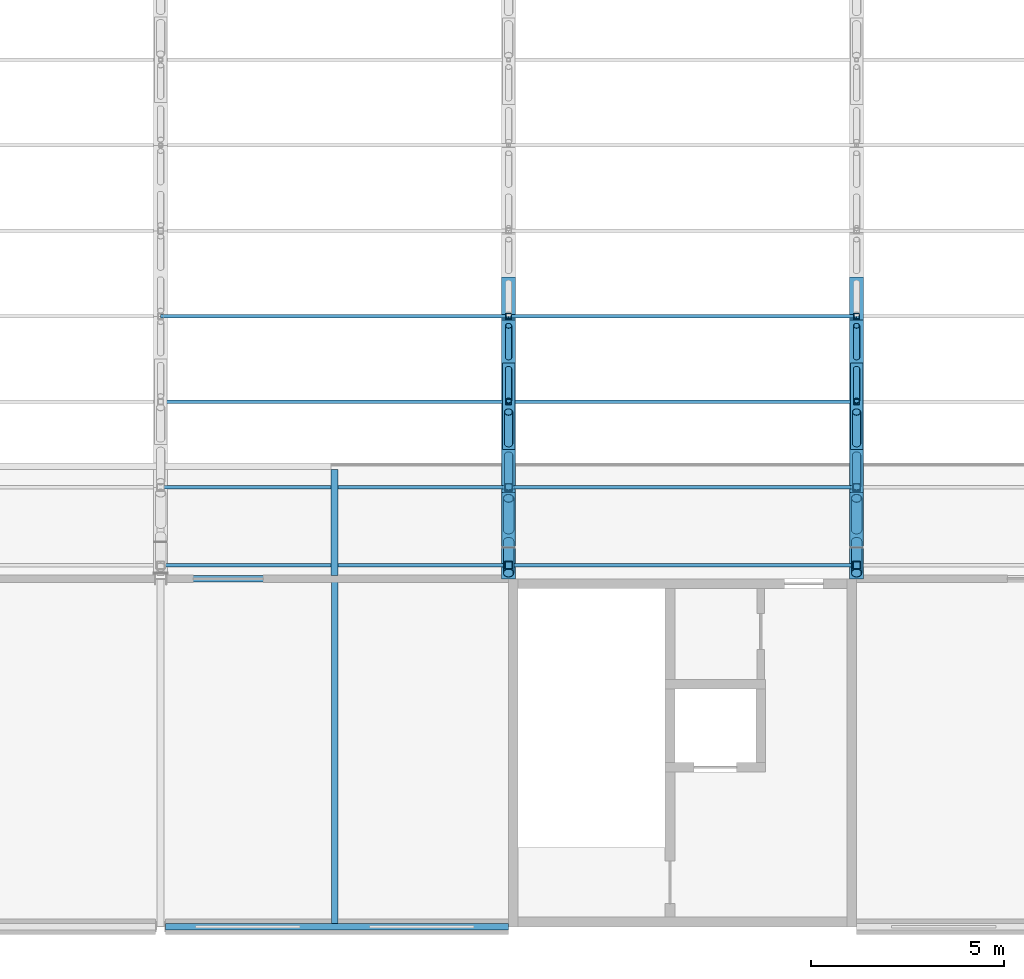
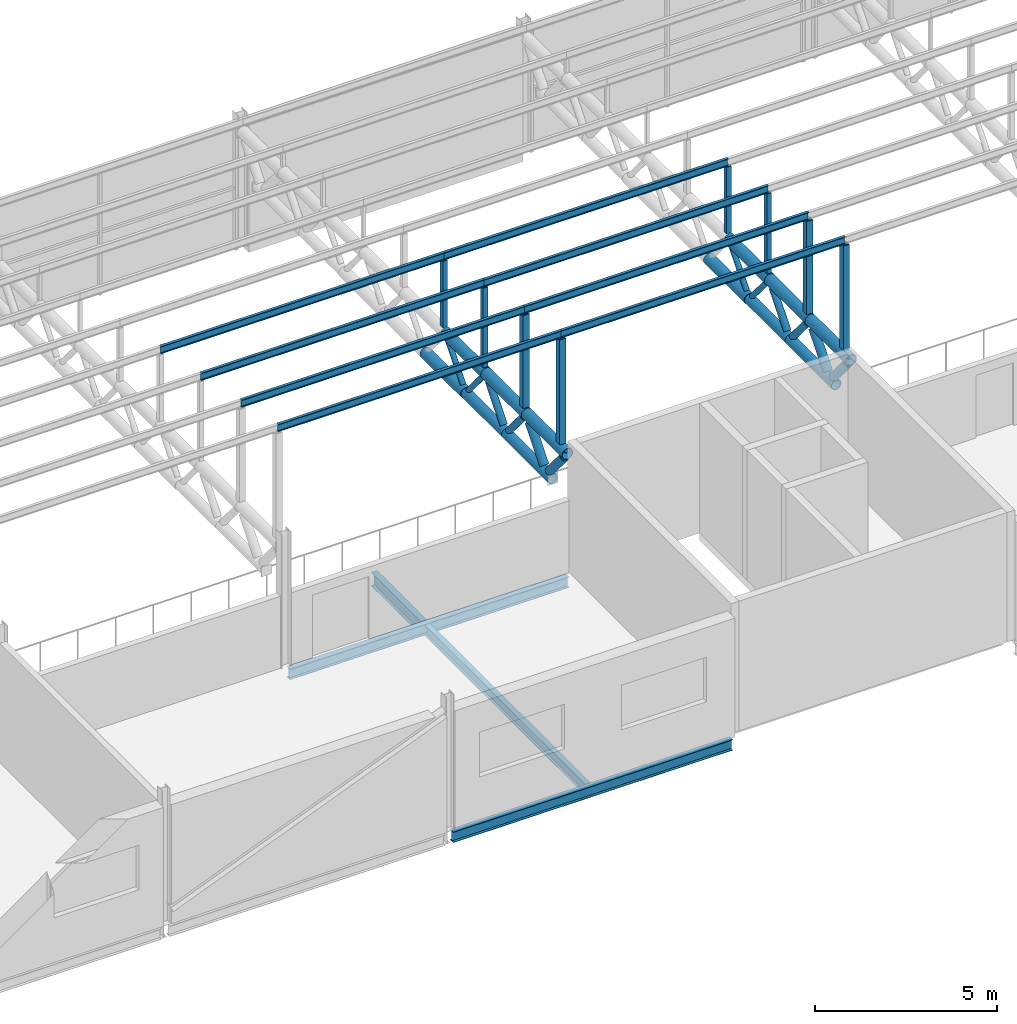
# One storey, part 52 of 138: 40 members, 4 beams.
"""IFC4 building model written with IfcOpenShell, lengths in metres."""

from ifc_helpers import new_model, si_unit, direction, frame, origin, origin_2d, place, context, subcontext, project, spatial, hollow_rectangle, hollow_circle, i_section, extrude, material, material_profile, profile_set, type_object, element, save


model = new_model("IFC4")

# Units and contexts
model_context = context("Model", 3, precision=1e-05, world=origin(), true_north=direction((0.0, 1.0)))
body_context = subcontext(model_context, "Body", "Model", "MODEL_VIEW")
ifc_project = project(units=[si_unit("LENGTHUNIT", "METRE"), si_unit("AREAUNIT", "SQUARE_METRE"), si_unit("VOLUMEUNIT", "CUBIC_METRE"), si_unit("PLANEANGLEUNIT", "RADIAN"), si_unit("MASSUNIT", "GRAM", prefix="KILO")], contexts=[model_context])

# Site, building, storey
site_placement = place(None, origin())
site = spatial("IfcSite", under=ifc_project, at=site_placement, CompositionType="ELEMENT")
building_placement = place(site_placement, origin())
building = spatial("IfcBuilding", under=site, at=building_placement, Name="Corbel Yard City Hall", CompositionType="ELEMENT")
storey_placement = place(building_placement, frame((0.0, 0.0, 10.5)))
storey = spatial("IfcBuildingStorey", under=building, at=storey_placement, Name="L02", CompositionType="ELEMENT", Elevation=10.5)

# Beams
ifc_material_1 = material(Name="Steel Grade 300 (300 MPa yield)", Category="steel")
ifc_material_profile_1 = material_profile(ifc_material_1, i_section(OverallWidth=0.172119140625, OverallDepth=0.35888671875, WebThickness=0.008056640625, FlangeThickness=0.012939453125, at=origin_2d()), Name="360UB56.7")
ifc_profile_set_1 = profile_set([ifc_material_profile_1], Name="Steel Grade 300 (300 MPa yield)")
beam_type_1 = type_object("IfcBeamType", Name="Edge beam 360UB56.7", PredefinedType="BEAM", material=ifc_profile_set_1)
beam_1_placement = place(storey_placement, frame((108.1298828125, 0.0, -0.32958984375), z_axis=(1.0, 0.0, 0.0), x_axis=(0.0, 1.0, 0.0)))
element("IfcBeam", 1, at=beam_1_placement, inside=storey, type_object=beam_type_1, Name="Edge beam 360UB56.7 EB4 L02floor", PredefinedType="BEAM", context=body_context, shape_type="SweptSolid", body=[
    extrude(i_section(OverallWidth=0.172119140625, OverallDepth=0.35888671875, WebThickness=0.008056640625, FlangeThickness=0.012939453125, at=origin_2d()), origin(), (0.0, 0.0, 1.0), 8.8701171875),
])
beam_2_placement = place(storey_placement, frame((108.157470703125, 9.0, -0.32958984375), z_axis=(1.0, 0.0, 0.0), x_axis=(0.0, 1.0, 0.0)))
element("IfcBeam", 2, at=beam_2_placement, inside=storey, type_object=beam_type_1, Name="Edge beam 360UB56.7 EB4 L02floor", PredefinedType="BEAM", context=body_context, shape_type="SweptSolid", body=[
    extrude(i_section(OverallWidth=0.172119140625, OverallDepth=0.35888671875, WebThickness=0.008056640625, FlangeThickness=0.012939453125, at=origin_2d()), origin(), (0.0, 0.0, 1.0), 8.842529296875),
])
ifc_material_profile_2 = material_profile(ifc_material_1, i_section(OverallWidth=0.18994140625, OverallDepth=0.4541015625, WebThickness=0.008544921875, FlangeThickness=0.0126953125, at=origin_2d()), Name="460UB67.1")
ifc_profile_set_2 = profile_set([ifc_material_profile_2], Name="Steel Grade 300 (300 MPa yield)")
beam_type_2 = type_object("IfcBeamType", Name="Gallery bracket 460UB67.1", PredefinedType="BEAM", material=ifc_profile_set_2)
beam_3_placement = place(storey_placement, frame((112.5, 9.0859375, -0.376953125), z_axis=(0.0, 1.0, 0.0), x_axis=(-1.0, 0.0, 0.0)))
element("IfcBeam", 3, at=beam_3_placement, inside=storey, type_object=beam_type_2, Name="Gallery bracket 460UB67.1 CB2 L02", PredefinedType="BEAM", context=body_context, shape_type="SweptSolid", body=[
    extrude(i_section(OverallWidth=0.18994140625, OverallDepth=0.4541015625, WebThickness=0.008544921875, FlangeThickness=0.0126953125, at=origin_2d()), origin(), (0.0, 0.0, 1.0), 2.7431640625),
])

# Members
ifc_material_2 = material(Name="Steel Grade C350L0", Category="steel")
ifc_material_profile_3 = material_profile(ifc_material_2, hollow_circle(Radius=0.161865234375, WallThickness=0.0126953125, at=origin_2d()), Name="323.9x12.7CHS")
ifc_profile_set_3 = profile_set([ifc_material_profile_3], Name="Steel Grade C350L0")
member_type_1 = type_object("IfcMemberType", Name="Hall roof truss bottom chord 323.9x12.7CHS", PredefinedType="CHORD", material=ifc_profile_set_3)
member_1_placement = place(storey_placement, frame((117.0, 9.8154296875, 2.59228515625), z_axis=(0.0, 1.0, 0.0), x_axis=(-1.0, 0.0, 0.0)))
element("IfcMember", 4, at=member_1_placement, inside=storey, type_object=member_type_1, Name="Hall roof truss bottom chord 323.9x12.7CHS TC2", PredefinedType="CHORD", context=body_context, shape_type="SweptSolid", body=[
    extrude(hollow_circle(Radius=0.161865234375, WallThickness=0.0126953125, at=origin_2d()), origin(), (0.0, 0.0, 1.0), 2.531005859375),
])
member_2_placement = place(storey_placement, frame((117.0, 12.346435546875, 2.59228515625), z_axis=(0.0, 1.0, 0.0), x_axis=(-1.0, 0.0, 0.0)))
element("IfcMember", 5, at=member_2_placement, inside=storey, type_object=member_type_1, Name="Hall roof truss bottom chord 323.9x12.7CHS TC2", PredefinedType="CHORD", context=body_context, shape_type="SweptSolid", body=[
    extrude(hollow_circle(Radius=0.161865234375, WallThickness=0.0126953125, at=origin_2d()), origin(), (0.0, 0.0, 1.0), 2.23095703125),
])
member_3_placement = place(storey_placement, frame((126.0, 9.8154296875, 2.59228515625), z_axis=(0.0, 1.0, 0.0), x_axis=(-1.0, 0.0, 0.0)))
element("IfcMember", 6, at=member_3_placement, inside=storey, type_object=member_type_1, Name="Hall roof truss bottom chord 323.9x12.7CHS TC2", PredefinedType="CHORD", context=body_context, shape_type="SweptSolid", body=[
    extrude(hollow_circle(Radius=0.161865234375, WallThickness=0.0126953125, at=origin_2d()), origin(), (0.0, 0.0, 1.0), 2.531005859375),
])
member_4_placement = place(storey_placement, frame((126.0, 12.346435546875, 2.59228515625), z_axis=(0.0, 1.0, 0.0), x_axis=(-1.0, 0.0, 0.0)))
element("IfcMember", 7, at=member_4_placement, inside=storey, type_object=member_type_1, Name="Hall roof truss bottom chord 323.9x12.7CHS TC2", PredefinedType="CHORD", context=body_context, shape_type="SweptSolid", body=[
    extrude(hollow_circle(Radius=0.161865234375, WallThickness=0.0126953125, at=origin_2d()), origin(), (0.0, 0.0, 1.0), 2.23095703125),
])
ifc_material_profile_4 = material_profile(ifc_material_2, hollow_circle(Radius=0.177734375, WallThickness=0.0126953125, at=origin_2d()), Name="355.6x12.7CHS")
ifc_profile_set_4 = profile_set([ifc_material_profile_4], Name="Steel Grade C350L0")
member_type_2 = type_object("IfcMemberType", Name="Hall roof truss bottom chord 355.6x12.7CHS", PredefinedType="CHORD", material=ifc_profile_set_4)
for number, where, z_axis, x_axis, name in (
    (8, (117.0, 14.577392578125, 2.59228515625), (0.0, 1.0, 0.0), (-1.0, 0.0, 0.0), "Hall roof truss bottom chord 355.6x12.7CHS TC3"),
    (9, (126.0, 14.577392578125, 2.59228515625), (0.0, 1.0, 0.0), (-1.0, 0.0, 0.0), "Hall roof truss bottom chord 355.6x12.7CHS TC3"),
):
    element("IfcMember", number, at=place(storey_placement, frame(where, z_axis=z_axis, x_axis=x_axis)), inside=storey, type_object=member_type_2, Name=name, PredefinedType="CHORD", context=body_context, shape_type="SweptSolid", body=[
        extrude(hollow_circle(Radius=0.177734375, WallThickness=0.0126953125, at=origin_2d()), origin(), (0.0, 0.0, 1.0), 2.23095703125),
    ])
ifc_material_profile_5 = material_profile(ifc_material_2, hollow_circle(Radius=0.084228515625, WallThickness=0.007080078125, at=origin_2d()), Name="168.3x7.1CHS")
ifc_profile_set_5 = profile_set([ifc_material_profile_5], Name="Steel Grade C350L0")
member_type_3 = type_object("IfcMemberType", Name="Hall roof truss diagonal 168.3x7.1CHS", PredefinedType="STRUT", material=ifc_profile_set_5)
for number, where, z_axis, x_axis, name in (
    (10, (117.0, 13.611083984375, 3.744384765625), (0.0, 0.64257954038, -0.766218985855), (-1.0, 0.0, 0.0), "Hall roof truss diagonal 168.3x7.1CHS TD3"),
    (11, (117.0, 14.7265625, 2.77001953125), (0.0, 0.64257954038, 0.766218985855), (-1.0, 0.0, 0.0), "Hall roof truss diagonal 168.3x7.1CHS TD3"),
    (12, (126.0, 13.611083984375, 3.744384765625), (0.0, 0.64257954038, -0.766218985855), (-1.0, 0.0, 0.0), "Hall roof truss diagonal 168.3x7.1CHS TD3"),
    (13, (126.0, 14.7265625, 2.77001953125), (0.0, 0.64257954038, 0.766218985855), (-1.0, 0.0, 0.0), "Hall roof truss diagonal 168.3x7.1CHS TD3"),
):
    element("IfcMember", number, at=place(storey_placement, frame(where, z_axis=z_axis, x_axis=x_axis)), inside=storey, type_object=member_type_3, Name=name, PredefinedType="STRUT", context=body_context, shape_type="SweptSolid", body=[
        extrude(hollow_circle(Radius=0.084228515625, WallThickness=0.007080078125, at=origin_2d()), origin(), (0.0, 0.0, 1.0), 1.271728515625),
    ])
ifc_material_profile_6 = material_profile(ifc_material_2, hollow_circle(Radius=0.109619140625, WallThickness=0.00830078125, at=origin_2d()), Name="219.1x8.2CHS")
ifc_profile_set_6 = profile_set([ifc_material_profile_6], Name="Steel Grade C350L0")
member_type_4 = type_object("IfcMemberType", Name="Hall roof truss diagonal 219.1x8.2CHS", PredefinedType="STRUT", material=ifc_profile_set_6)
for number, where, z_axis, x_axis, name in (
    (14, (117.0, 11.380126953125, 3.744384765625), (0.0, 0.64257954038, -0.766218985855), (-1.0, 0.0, 0.0), "Hall roof truss diagonal 219.1x8.2CHS TD2"),
    (15, (117.0, 12.49560546875, 2.77001953125), (0.0, 0.64257954038, 0.766218985855), (-1.0, 0.0, 0.0), "Hall roof truss diagonal 219.1x8.2CHS TD2"),
    (16, (126.0, 11.380126953125, 3.744384765625), (0.0, 0.64257954038, -0.766218985855), (-1.0, 0.0, 0.0), "Hall roof truss diagonal 219.1x8.2CHS TD2"),
    (17, (126.0, 12.49560546875, 2.77001953125), (0.0, 0.64257954038, 0.766218985855), (-1.0, 0.0, 0.0), "Hall roof truss diagonal 219.1x8.2CHS TD2"),
):
    element("IfcMember", number, at=place(storey_placement, frame(where, z_axis=z_axis, x_axis=x_axis)), inside=storey, type_object=member_type_4, Name=name, PredefinedType="STRUT", context=body_context, shape_type="SweptSolid", body=[
        extrude(hollow_circle(Radius=0.109619140625, WallThickness=0.00830078125, at=origin_2d()), origin(), (0.0, 0.0, 1.0), 1.271728515625),
    ])
ifc_material_profile_7 = material_profile(ifc_material_2, hollow_circle(Radius=0.136474609375, WallThickness=0.00927734375, at=origin_2d()), Name="273.1x9.3CHS")
ifc_profile_set_7 = profile_set([ifc_material_profile_7], Name="Steel Grade C350L0")
member_type_5 = type_object("IfcMemberType", Name="Hall roof truss diagonal 273.1x9.3CHS", PredefinedType="STRUT", material=ifc_profile_set_7)
for number, where, z_axis, x_axis, name in (
    (18, (117.0, 9.149169921875, 3.744384765625), (0.0, 0.64257954038, -0.766218985855), (-1.0, 0.0, 0.0), "Hall roof truss diagonal 273.1x9.3CHS TD1"),
    (19, (117.0, 10.2646484375, 2.77001953125), (0.0, 0.64257954038, 0.766218985855), (-1.0, 0.0, 0.0), "Hall roof truss diagonal 273.1x9.3CHS TD1"),
    (20, (126.0, 9.149169921875, 3.744384765625), (0.0, 0.64257954038, -0.766218985855), (-1.0, 0.0, 0.0), "Hall roof truss diagonal 273.1x9.3CHS TD1"),
    (21, (126.0, 10.2646484375, 2.77001953125), (0.0, 0.64257954038, 0.766218985855), (-1.0, 0.0, 0.0), "Hall roof truss diagonal 273.1x9.3CHS TD1"),
):
    element("IfcMember", number, at=place(storey_placement, frame(where, z_axis=z_axis, x_axis=x_axis)), inside=storey, type_object=member_type_5, Name=name, PredefinedType="STRUT", context=body_context, shape_type="SweptSolid", body=[
        extrude(hollow_circle(Radius=0.136474609375, WallThickness=0.00927734375, at=origin_2d()), origin(), (0.0, 0.0, 1.0), 1.271728515625),
    ])
ifc_material_profile_8 = material_profile(ifc_material_2, hollow_circle(Radius=0.177734375, WallThickness=0.0126953125, at=origin_2d()), Name="355.6x12.7CHS")
ifc_profile_set_8 = profile_set([ifc_material_profile_8], Name="Steel Grade C350L0")
member_type_6 = type_object("IfcMemberType", Name="Hall roof truss top chord 355.6x12.7CHS", PredefinedType="CHORD", material=ifc_profile_set_8)
for number, where, z_axis, x_axis, name in (
    (22, (117.0, 9.0, 3.922119140625), (0.0, 1.0, 0.0), (-1.0, 0.0, 0.0), "Hall roof truss top chord 355.6x12.7CHS TC1"),
    (23, (117.0, 11.23095703125, 3.922119140625), (0.0, 1.0, 0.0), (-1.0, 0.0, 0.0), "Hall roof truss top chord 355.6x12.7CHS TC1"),
    (24, (117.0, 13.4619140625, 3.922119140625), (0.0, 1.0, 0.0), (-1.0, 0.0, 0.0), "Hall roof truss top chord 355.6x12.7CHS TC1"),
    (25, (126.0, 9.0, 3.922119140625), (0.0, 1.0, 0.0), (-1.0, 0.0, 0.0), "Hall roof truss top chord 355.6x12.7CHS TC1"),
    (26, (126.0, 11.23095703125, 3.922119140625), (0.0, 1.0, 0.0), (-1.0, 0.0, 0.0), "Hall roof truss top chord 355.6x12.7CHS TC1"),
    (27, (126.0, 13.4619140625, 3.922119140625), (0.0, 1.0, 0.0), (-1.0, 0.0, 0.0), "Hall roof truss top chord 355.6x12.7CHS TC1"),
):
    element("IfcMember", number, at=place(storey_placement, frame(where, z_axis=z_axis, x_axis=x_axis)), inside=storey, type_object=member_type_6, Name=name, PredefinedType="CHORD", context=body_context, shape_type="SweptSolid", body=[
        extrude(hollow_circle(Radius=0.177734375, WallThickness=0.0126953125, at=origin_2d()), origin(), (0.0, 0.0, 1.0), 2.23095703125),
    ])
ifc_material_profile_9 = material_profile(ifc_material_1, i_section(OverallWidth=0.090087890625, OverallDepth=0.25, WebThickness=0.008056640625, FlangeThickness=0.014892578125, at=origin_2d()), Name="250PFC")
ifc_profile_set_9 = profile_set([ifc_material_profile_9], Name="Steel Grade 300 (300 MPa yield)")
member_type_7 = type_object("IfcMemberType", Name="Purlin 250PFC", PredefinedType="PURLIN", material=ifc_profile_set_9)
for number, where, z_axis, x_axis, name in (
    (28, (108.0, 9.3525390625, 7.74560546875), (1.0, 0.0, 0.0), (0.0, 1.0, 0.0), "Purlin 250PFC PU1"),
    (29, (108.0, 11.3642578125, 7.343017578125), (1.0, 0.0, 0.0), (0.0, 1.0, 0.0), "Purlin 250PFC PU1"),
    (30, (108.0, 13.576171875, 6.900634765625), (1.0, 0.0, 0.0), (0.0, 1.0, 0.0), "Purlin 250PFC PU1"),
    (31, (108.0, 15.7880859375, 6.45849609375), (1.0, 0.0, 0.0), (0.0, 1.0, 0.0), "Purlin 250PFC PU1"),
    (32, (117.0, 9.3525390625, 7.74560546875), (1.0, 0.0, 0.0), (0.0, 1.0, 0.0), "Purlin 250PFC PU1"),
    (33, (117.0, 11.3642578125, 7.343017578125), (1.0, 0.0, 0.0), (0.0, 1.0, 0.0), "Purlin 250PFC PU1"),
    (34, (117.0, 13.576171875, 6.900634765625), (1.0, 0.0, 0.0), (0.0, 1.0, 0.0), "Purlin 250PFC PU1"),
    (35, (117.0, 15.7880859375, 6.45849609375), (1.0, 0.0, 0.0), (0.0, 1.0, 0.0), "Purlin 250PFC PU1"),
):
    element("IfcMember", number, at=place(storey_placement, frame(where, z_axis=z_axis, x_axis=x_axis)), inside=storey, type_object=member_type_7, Name=name, PredefinedType="PURLIN", context=body_context, shape_type="SweptSolid", body=[
        extrude(i_section(OverallWidth=0.090087890625, OverallDepth=0.25, WebThickness=0.008056640625, FlangeThickness=0.014892578125, at=origin_2d()), origin(), (0.0, 0.0, 1.0), 9.0),
    ])
ifc_material_3 = material(Name="Steel Grade C450L0", Category="steel")
ifc_material_profile_10 = material_profile(ifc_material_3, hollow_rectangle(XDim=0.14990234375, YDim=0.14990234375, WallThickness=0.009033203125, at=origin_2d()), Name="150x150x9.0SHS")
ifc_profile_set_10 = profile_set([ifc_material_profile_10], Name="Steel Grade C450L0")
member_type_8 = type_object("IfcMemberType", Name="Roof post 150x150x9.0SHS", PredefinedType="POST", material=ifc_profile_set_10)
member_5_placement = place(storey_placement, frame((117.0, 13.576171875, 4.10009765625), z_axis=(0.0, 0.0, 1.0), x_axis=(1.0, 0.0, 0.0)))
element("IfcMember", 36, at=member_5_placement, inside=storey, type_object=member_type_8, Name="Roof post 150x150x9.0SHS RP2", PredefinedType="POST", context=body_context, shape_type="SweptSolid", body=[
    extrude(hollow_rectangle(XDim=0.14990234375, YDim=0.14990234375, WallThickness=0.009033203125, at=origin_2d()), origin(), (0.0, 0.0, 1.0), 2.675537109375),
])
member_6_placement = place(storey_placement, frame((117.0, 15.7880859375, 4.10009765625), z_axis=(0.0, 0.0, 1.0), x_axis=(1.0, 0.0, 0.0)))
element("IfcMember", 37, at=member_6_placement, inside=storey, type_object=member_type_8, Name="Roof post 150x150x9.0SHS RP2", PredefinedType="POST", context=body_context, shape_type="SweptSolid", body=[
    extrude(hollow_rectangle(XDim=0.14990234375, YDim=0.14990234375, WallThickness=0.009033203125, at=origin_2d()), origin(), (0.0, 0.0, 1.0), 2.2333984375),
])
member_7_placement = place(storey_placement, frame((126.0, 13.576171875, 4.10009765625), z_axis=(0.0, 0.0, 1.0), x_axis=(1.0, 0.0, 0.0)))
element("IfcMember", 38, at=member_7_placement, inside=storey, type_object=member_type_8, Name="Roof post 150x150x9.0SHS RP2", PredefinedType="POST", context=body_context, shape_type="SweptSolid", body=[
    extrude(hollow_rectangle(XDim=0.14990234375, YDim=0.14990234375, WallThickness=0.009033203125, at=origin_2d()), origin(), (0.0, 0.0, 1.0), 2.675537109375),
])
member_8_placement = place(storey_placement, frame((126.0, 15.7880859375, 4.10009765625), z_axis=(0.0, 0.0, 1.0), x_axis=(1.0, 0.0, 0.0)))
element("IfcMember", 39, at=member_8_placement, inside=storey, type_object=member_type_8, Name="Roof post 150x150x9.0SHS RP2", PredefinedType="POST", context=body_context, shape_type="SweptSolid", body=[
    extrude(hollow_rectangle(XDim=0.14990234375, YDim=0.14990234375, WallThickness=0.009033203125, at=origin_2d()), origin(), (0.0, 0.0, 1.0), 2.2333984375),
])
ifc_material_profile_11 = material_profile(ifc_material_3, hollow_rectangle(XDim=0.199951171875, YDim=0.199951171875, WallThickness=0.009033203125, at=origin_2d()), Name="200x200x9.0SHS")
ifc_profile_set_11 = profile_set([ifc_material_profile_11], Name="Steel Grade C450L0")
member_type_9 = type_object("IfcMemberType", Name="Roof post 200x200x9.0SHS", PredefinedType="POST", material=ifc_profile_set_11)
member_9_placement = place(storey_placement, frame((117.0, 9.3525390625, 4.10009765625), z_axis=(0.0, 0.0, 1.0), x_axis=(1.0, 0.0, 0.0)))
element("IfcMember", 40, at=member_9_placement, inside=storey, type_object=member_type_9, Name="Roof post 200x200x9.0SHS RP1", PredefinedType="POST", context=body_context, shape_type="SweptSolid", body=[
    extrude(hollow_rectangle(XDim=0.199951171875, YDim=0.199951171875, WallThickness=0.009033203125, at=origin_2d()), origin(), (0.0, 0.0, 1.0), 3.5205078125),
])
member_10_placement = place(storey_placement, frame((117.0, 11.3642578125, 4.10009765625), z_axis=(0.0, 0.0, 1.0), x_axis=(1.0, 0.0, 0.0)))
element("IfcMember", 41, at=member_10_placement, inside=storey, type_object=member_type_9, Name="Roof post 200x200x9.0SHS RP1", PredefinedType="POST", context=body_context, shape_type="SweptSolid", body=[
    extrude(hollow_rectangle(XDim=0.199951171875, YDim=0.199951171875, WallThickness=0.009033203125, at=origin_2d()), origin(), (0.0, 0.0, 1.0), 3.117919921875),
])
member_11_placement = place(storey_placement, frame((126.0, 9.3525390625, 4.10009765625), z_axis=(0.0, 0.0, 1.0), x_axis=(1.0, 0.0, 0.0)))
element("IfcMember", 42, at=member_11_placement, inside=storey, type_object=member_type_9, Name="Roof post 200x200x9.0SHS RP1", PredefinedType="POST", context=body_context, shape_type="SweptSolid", body=[
    extrude(hollow_rectangle(XDim=0.199951171875, YDim=0.199951171875, WallThickness=0.009033203125, at=origin_2d()), origin(), (0.0, 0.0, 1.0), 3.5205078125),
])
member_12_placement = place(storey_placement, frame((126.0, 11.3642578125, 4.10009765625), z_axis=(0.0, 0.0, 1.0), x_axis=(1.0, 0.0, 0.0)))
element("IfcMember", 43, at=member_12_placement, inside=storey, type_object=member_type_9, Name="Roof post 200x200x9.0SHS RP1", PredefinedType="POST", context=body_context, shape_type="SweptSolid", body=[
    extrude(hollow_rectangle(XDim=0.199951171875, YDim=0.199951171875, WallThickness=0.009033203125, at=origin_2d()), origin(), (0.0, 0.0, 1.0), 3.117919921875),
])

# Beam
ifc_material_profile_12 = material_profile(ifc_material_1, i_section(OverallWidth=0.1708984375, OverallDepth=0.35595703125, WebThickness=0.00732421875, FlangeThickness=0.011474609375, at=origin_2d()), Name="360UB50.7")
ifc_profile_set_12 = profile_set([ifc_material_profile_12], Name="Steel Grade 300 (300 MPa yield)")
beam_type_3 = type_object("IfcBeamType", Name="Secondary beam 360UB50.7", PredefinedType="JOIST", material=ifc_profile_set_12)
beam_4_placement = place(storey_placement, frame((112.5, 0.0859375, -0.327880859375), z_axis=(0.0, 1.0, 0.0), x_axis=(-1.0, 0.0, 0.0)))
element("IfcBeam", 44, at=beam_4_placement, inside=storey, type_object=beam_type_3, Name="Secondary beam 360UB50.7 SB10 L02floor", PredefinedType="JOIST", context=body_context, shape_type="SweptSolid", body=[
    extrude(i_section(OverallWidth=0.1708984375, OverallDepth=0.35595703125, WebThickness=0.00732421875, FlangeThickness=0.011474609375, at=origin_2d()), origin(), (0.0, 0.0, 1.0), 8.828125),
])

save(model, "model.ifc")
